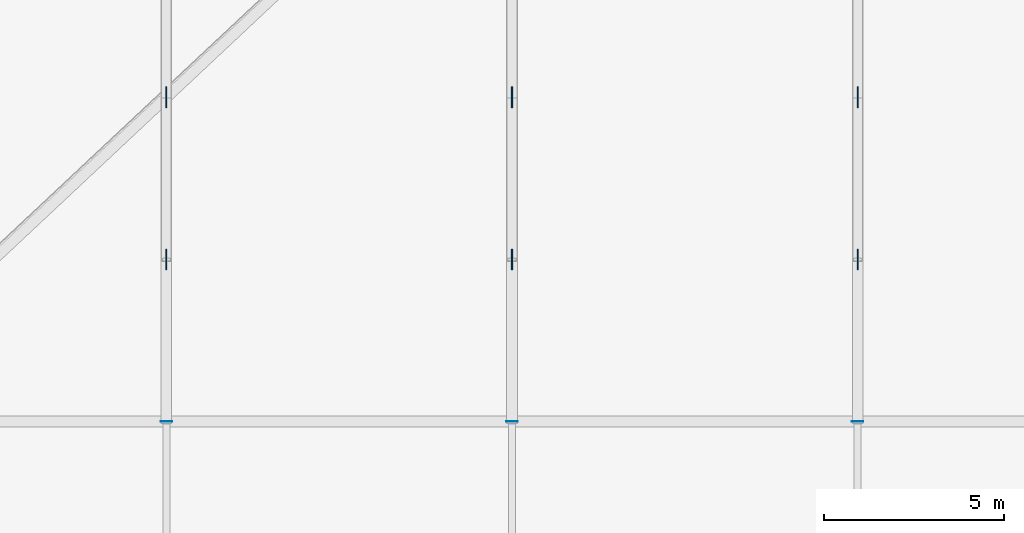
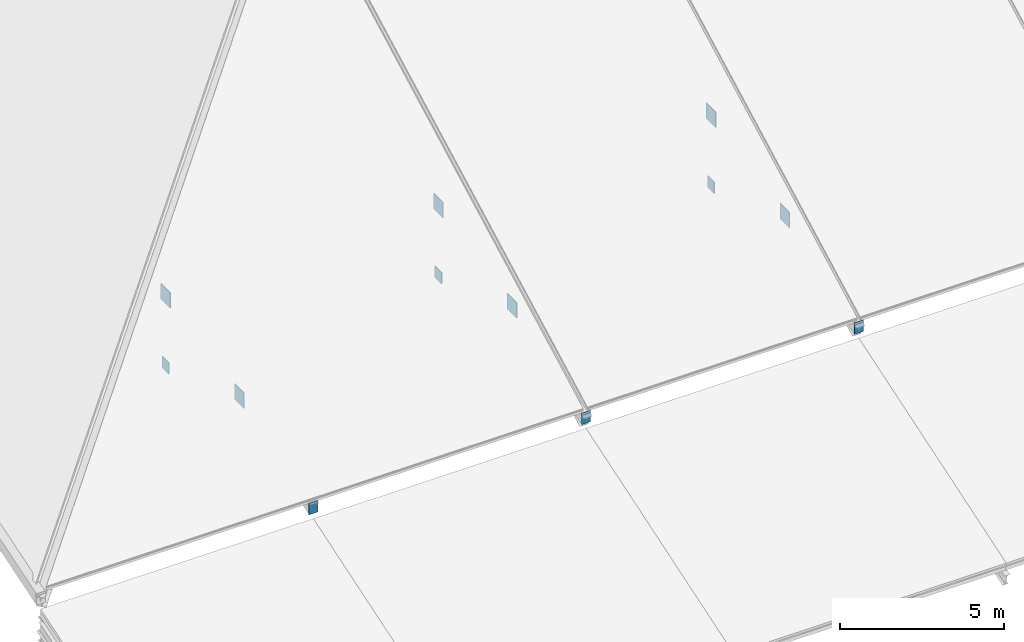
# One storey, part 7 of 16: 12 plates.
"""IFC4 building model written with IfcOpenShell, lengths in metres."""

from ifc_helpers import new_model, si_unit, direction, frame, origin, origin_2d, place, context, subcontext, project, spatial, rectangle, extrude, material, layer, layer_set, type_object, element, save


model = new_model("IFC4")

# Units and contexts
model_context = context("Model", 3, precision=1e-05, world=origin(), true_north=direction((0.0, 1.0)))
body_context = subcontext(model_context, "Body", "Model", "MODEL_VIEW")
ifc_project = project(units=[si_unit("LENGTHUNIT", "METRE"), si_unit("AREAUNIT", "SQUARE_METRE"), si_unit("VOLUMEUNIT", "CUBIC_METRE"), si_unit("PLANEANGLEUNIT", "RADIAN"), si_unit("MASSUNIT", "GRAM", prefix="KILO")], contexts=[model_context])

# Site, building, storey
site_placement = place(None, origin())
site = spatial("IfcSite", under=ifc_project, at=site_placement, CompositionType="ELEMENT")
building_placement = place(site_placement, origin())
building = spatial("IfcBuilding", under=site, at=building_placement, Name="Zarnetskaya Central Station", CompositionType="ELEMENT")
storey_placement = place(building_placement, frame((0.0, 0.0, 27.0)))
storey = spatial("IfcBuildingStorey", under=building, at=storey_placement, Name="RF", CompositionType="ELEMENT", Elevation=27.0)

# Plates
ifc_material = material(Name="Steel S355", Category="steel")
ifc_layer_1 = layer(ifc_material, 0.02001953125, Name="Steel S355", Category="steel")
ifc_layer_set_1 = layer_set([ifc_layer_1], Name="Steel S355")
plate_type_1 = type_object("IfcPlateType", Name="ND-ENDCAP-20", PredefinedType="SHEET", material=ifc_layer_set_1)
for number, where, z_axis, x_axis, name in (
    (1, (67.199951171875, 22.199951171875, -13.10986328125), (0.0, 0.0, 1.0), (1.0, 0.0, 0.0), "ROOF TRUSS RT-02 end cap plate 1"),
    (2, (76.800048828125, 22.199951171875, -13.10986328125), (0.0, 0.0, 1.0), (1.0, 0.0, 0.0), "ROOF TRUSS RT-03 end cap plate 1"),
    (3, (86.39990234375, 22.199951171875, -13.10986328125), (0.0, 0.0, 1.0), (1.0, 0.0, 0.0), "ROOF TRUSS RT-04 end cap plate 1"),
):
    element("IfcPlate", number, at=place(storey_placement, frame(where, z_axis=z_axis, x_axis=x_axis)), inside=storey, type_object=plate_type_1, Name=name, PredefinedType="SHEET", context=body_context, shape_type="SweptSolid", body=[
        extrude(rectangle(XDim=0.320068359375, YDim=0.02001953125, at=origin_2d()), origin(), (0.0, 0.0, 1.0), 0.419921875),
    ])
ifc_layer_2 = layer(ifc_material, 0.028076171875, Name="Steel S355", Category="steel")
ifc_layer_set_2 = layer_set([ifc_layer_2], Name="Steel S355")
plate_type_2 = type_object("IfcPlateType", Name="ND-GUSSET-28", PredefinedType="USERDEFINED", material=ifc_layer_set_2)
for number, where, z_axis, x_axis, name in (
    (4, (67.199951171875, 26.699951171875, -11.75830078125), (0.0, 0.0, 1.0), (1.0, 0.0, 0.0), "ROOF TRUSS RT-02 gusset node plate 1"),
    (5, (67.199951171875, 31.199951171875, -10.760009765625), (0.0, 0.0, 1.0), (1.0, 0.0, 0.0), "ROOF TRUSS RT-02 gusset node plate 2"),
    (6, (76.800048828125, 26.699951171875, -11.75830078125), (0.0, 0.0, 1.0), (1.0, 0.0, 0.0), "ROOF TRUSS RT-03 gusset node plate 1"),
    (7, (76.800048828125, 31.199951171875, -10.760009765625), (0.0, 0.0, 1.0), (1.0, 0.0, 0.0), "ROOF TRUSS RT-03 gusset node plate 2"),
    (8, (86.39990234375, 26.699951171875, -11.75830078125), (0.0, 0.0, 1.0), (1.0, 0.0, 0.0), "ROOF TRUSS RT-04 gusset node plate 1"),
    (9, (86.39990234375, 31.199951171875, -10.760009765625), (0.0, 0.0, 1.0), (1.0, 0.0, 0.0), "ROOF TRUSS RT-04 gusset node plate 2"),
):
    element("IfcPlate", number, at=place(storey_placement, frame(where, z_axis=z_axis, x_axis=x_axis)), inside=storey, type_object=plate_type_2, Name=name, ObjectType="GUSSET PLATE", PredefinedType="USERDEFINED", context=body_context, shape_type="SweptSolid", body=[
        extrude(rectangle(XDim=0.028076171875, YDim=0.580078125, at=origin_2d()), origin(), (0.0, 0.0, 1.0), 0.580078125),
    ])
for number, where, z_axis, x_axis, name in (
    (10, (67.199951171875, 31.199951171875, -13.260009765625), (0.0, 0.0, 1.0), (1.0, 0.0, 0.0), "Structural member end gusset plate 004"),
    (11, (76.800048828125, 31.199951171875, -13.260009765625), (0.0, 0.0, 1.0), (1.0, 0.0, 0.0), "Structural member end gusset plate 007"),
    (12, (86.39990234375, 31.199951171875, -13.260009765625), (0.0, 0.0, 1.0), (1.0, 0.0, 0.0), "Structural member end gusset plate 010"),
):
    element("IfcPlate", number, at=place(storey_placement, frame(where, z_axis=z_axis, x_axis=x_axis)), inside=storey, type_object=plate_type_2, Name=name, ObjectType="GUSSET PLATE", PredefinedType="USERDEFINED", context=body_context, shape_type="SweptSolid", body=[
        extrude(rectangle(XDim=0.028076171875, YDim=0.419921875, at=origin_2d()), origin(), (0.0, 0.0, 1.0), 0.419921875),
    ])

save(model, "model.ifc")
